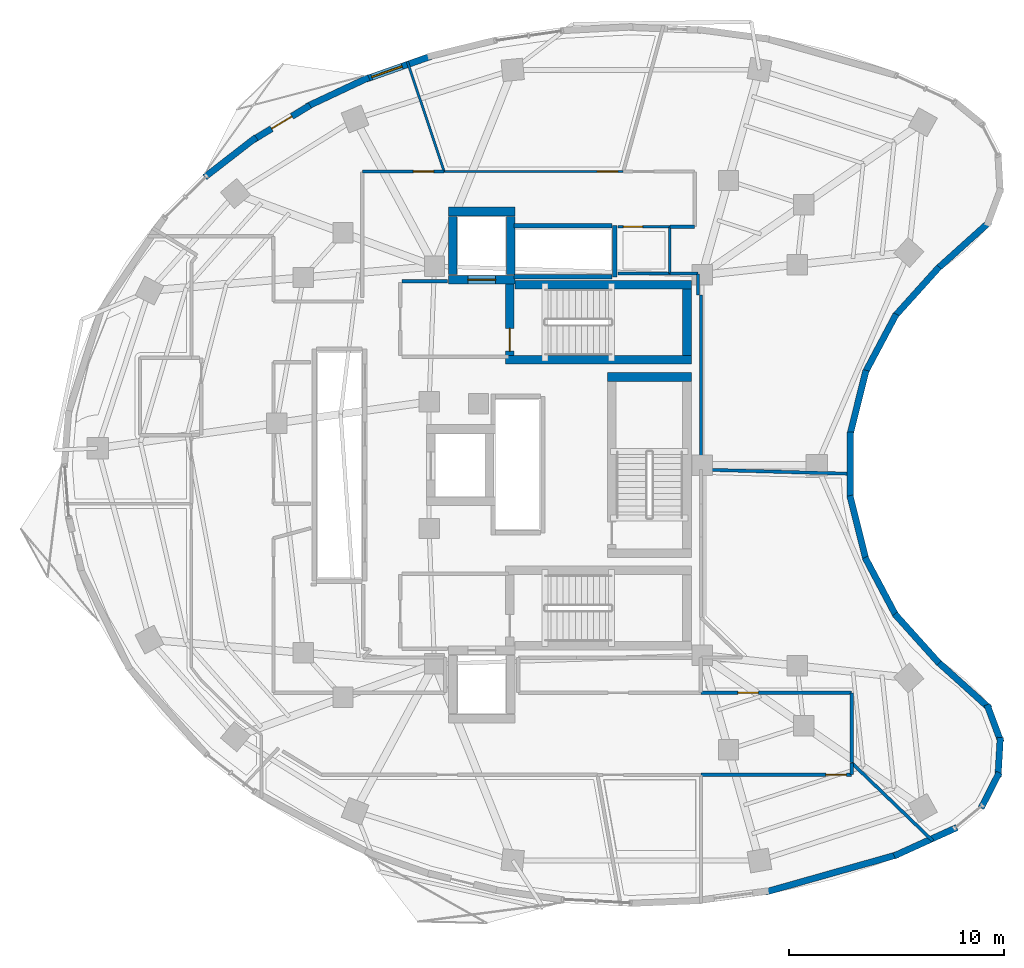
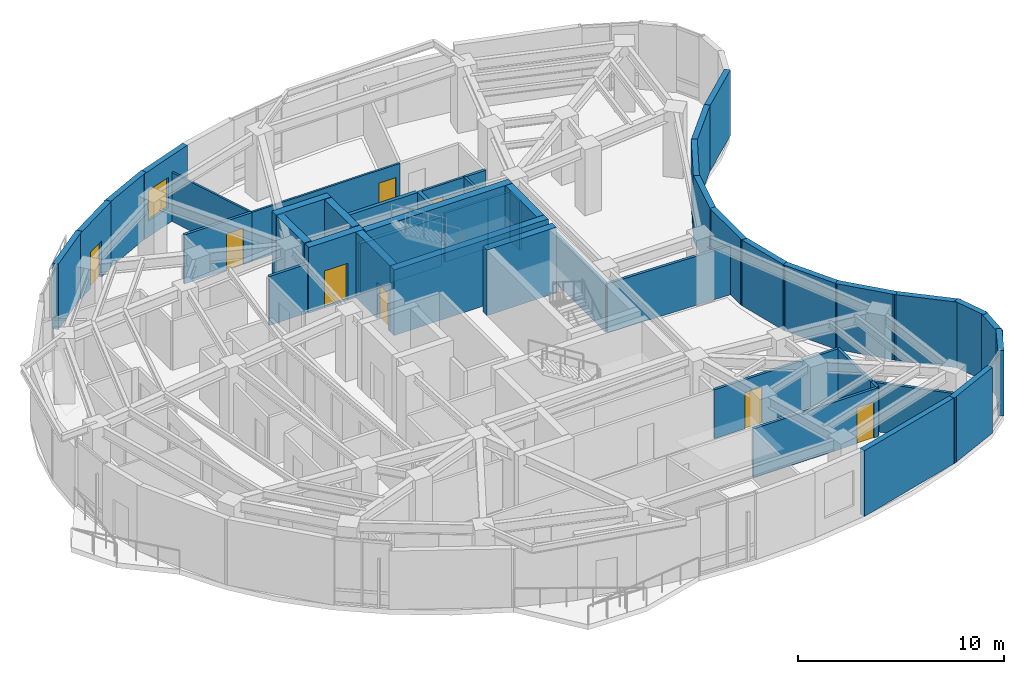
# One storey, part 9 of 13: 47 walls, 8 doors, 1 window, 9 openings.
"""IFC4 building model written with IfcOpenShell, lengths in metres."""

from ifc_helpers import new_model, si_unit, direction, frame, frame_2d, origin, place, context, subcontext, project, spatial, rectangle, extrude, material, layer, layer_set, type_object, element, fill, save


model = new_model("IFC4")

# Units and contexts
model_context = context("Model", 3, precision=1e-05, world=origin(), true_north=direction((0.0, 1.0)))
body_context = subcontext(model_context, "Body", "Model", "MODEL_VIEW")
ifc_project = project(units=[si_unit("LENGTHUNIT", "METRE"), si_unit("AREAUNIT", "SQUARE_METRE"), si_unit("VOLUMEUNIT", "CUBIC_METRE"), si_unit("PLANEANGLEUNIT", "RADIAN"), si_unit("MASSUNIT", "GRAM", prefix="KILO")], contexts=[model_context])

# Site, building, storey
site_placement = place(None, origin())
site = spatial("IfcSite", under=ifc_project, at=site_placement, CompositionType="ELEMENT")
building_placement = place(site_placement, origin())
building = spatial("IfcBuilding", under=site, at=building_placement, Name="Korentha Bioscience Tower", CompositionType="ELEMENT")
storey_placement = place(building_placement, frame((0.0, 0.0, 158.39990234375)))
storey = spatial("IfcBuildingStorey", under=building, at=storey_placement, Name="L36", CompositionType="ELEMENT", Elevation=158.39990234375)

# Wall, opening, door
ifc_material_1 = material(Name="Double-Stud Acoustic Gypsum", Category="gypsum")
ifc_layer_1 = layer(ifc_material_1, 0.14990234375, Name="Double-Stud Acoustic Gypsum")
ifc_layer_set_1 = layer_set([ifc_layer_1], Name="Double-Stud Acoustic Gypsum (IW-L150)")
wall_type_1 = type_object("IfcWallType", Name="Acoustic Laboratory Partition Wall 150", PredefinedType="PARTITIONING", material=ifc_layer_set_1)
wall_1_placement = place(storey_placement, frame((37.508056640625, 12.590087890625, 0.0), z_axis=(0.0, 0.0, 1.0), x_axis=(1.0, 0.0, 0.0)))
wall_1 = element("IfcWall", 1, at=wall_1_placement, inside=storey, type_object=wall_type_1, Name="L36 Fluorescence Confocal Microscopy Room 06 Entrance Wall", PredefinedType="PARTITIONING", context=body_context, shape_type="SweptSolid", body=[
    extrude(rectangle(XDim=6.991943359375, YDim=0.14990234375, at=frame_2d((3.49609375, 0.0))), origin(), (0.0, 0.0, 1.0), 2.91015625),
])
opening_1_placement = place(wall_1_placement, frame((5.802001953125, 0.0, 0.0)))
opening_1 = element("IfcOpeningElement", 2, at=opening_1_placement, cuts=wall_1, Name="Opening ID-10L", PredefinedType="OPENING", context=body_context, shape_type="SweptSolid", body=[
    extrude(rectangle(XDim=0.949951171875, YDim=2.14990234375, at=frame_2d((0.47509765625, 1.074951171875))), frame((0.0, 0.08984375, 0.0), z_axis=(0.0, -1.0, 0.0), x_axis=(1.0, 0.0, 0.0)), (0.0, 0.0, 1.0), 0.1796875),
])
ifc_material_2 = material(Name="Phenolic Laminate Timber Core", Category="wood")
door_type_1 = type_object("IfcDoorType", Name="Laboratory Single Leaf Door 950x2150 Left", OperationType="SINGLE_SWING_LEFT", PredefinedType="DOOR", material=ifc_material_2)
door_1_placement = place(opening_1_placement, origin())
door_1 = element("IfcDoor", 3, at=door_1_placement, inside=storey, type_object=door_type_1, Name="L36 Fluorescence Confocal Microscopy Room 06 Door", OperationType="SINGLE_SWING_LEFT", OverallHeight=2.14990234375, OverallWidth=0.949951171875, PredefinedType="DOOR", context=body_context, shape_type="SweptSolid", body=[
    extrude(rectangle(XDim=0.949951171875, YDim=2.14990234375, at=frame_2d((0.47509765625, 1.074951171875))), frame((0.0, 0.02490234375, 0.0), z_axis=(0.0, -1.0, 0.0), x_axis=(1.0, 0.0, 0.0)), (0.0, 0.0, 1.0), 0.050048828125),
])
fill(opening_1, door_1)

wall_2_placement = place(storey_placement, frame((44.5, 16.409912109375, 0.0), z_axis=(0.0, 0.0, 1.0), x_axis=(-1.0, 0.0, 0.0)))
wall_2 = element("IfcWall", 4, at=wall_2_placement, inside=storey, type_object=wall_type_1, Name="L36 Incubator and Bioreactor Suite 07 Entrance Wall", PredefinedType="PARTITIONING", context=body_context, shape_type="SweptSolid", body=[
    extrude(rectangle(XDim=6.991943359375, YDim=0.14990234375, at=frame_2d((3.49609375, 0.0))), origin(), (0.0, 0.0, 1.0), 2.91015625),
])
opening_2_placement = place(wall_2_placement, frame((4.334228515625, 0.0, 0.0)))
opening_2 = element("IfcOpeningElement", 5, at=opening_2_placement, cuts=wall_2, Name="Opening ID-10R", PredefinedType="OPENING", context=body_context, shape_type="SweptSolid", body=[
    extrude(rectangle(XDim=0.949951171875, YDim=2.14990234375, at=frame_2d((0.47509765625, 1.074951171875))), frame((0.0, 0.08984375, 0.0), z_axis=(0.0, -1.0, 0.0), x_axis=(1.0, 0.0, 0.0)), (0.0, 0.0, 1.0), 0.1796875),
])
door_type_2 = type_object("IfcDoorType", Name="Laboratory Single Leaf Door 950x2150 Right", OperationType="SINGLE_SWING_RIGHT", PredefinedType="DOOR", material=ifc_material_2)
door_2_placement = place(opening_2_placement, origin())
door_2 = element("IfcDoor", 6, at=door_2_placement, inside=storey, type_object=door_type_2, Name="L36 Incubator and Bioreactor Suite 07 Door", OperationType="SINGLE_SWING_RIGHT", OverallHeight=2.14990234375, OverallWidth=0.949951171875, PredefinedType="DOOR", context=body_context, shape_type="SweptSolid", body=[
    extrude(rectangle(XDim=0.949951171875, YDim=2.14990234375, at=frame_2d((0.47509765625, 1.074951171875))), frame((0.0, 0.02490234375, 0.0), z_axis=(0.0, -1.0, 0.0), x_axis=(1.0, 0.0, 0.0)), (0.0, 0.0, 1.0), 0.050048828125),
])
fill(opening_2, door_2)

wall_3_placement = place(storey_placement, frame((25.54150390625, 40.659912109375, 0.0), z_axis=(0.0, 0.0, 1.0), x_axis=(-1.0, 0.0, 0.0)))
wall_3 = element("IfcWall", 7, at=wall_3_placement, inside=storey, type_object=wall_type_1, Name="L36 Clinical Advisory Boardroom 10 Entrance Wall", PredefinedType="PARTITIONING", context=body_context, shape_type="SweptSolid", body=[
    extrude(rectangle(XDim=3.79150390625, YDim=0.14990234375, at=frame_2d((1.895751953125, 0.0))), origin(), (0.0, 0.0, 1.0), 2.91015625),
])
opening_3_placement = place(wall_3_placement, frame((0.477783203125, 0.0, 0.0)))
opening_3 = element("IfcOpeningElement", 8, at=opening_3_placement, cuts=wall_3, Name="Opening ID-10L", PredefinedType="OPENING", context=body_context, shape_type="SweptSolid", body=[
    extrude(rectangle(XDim=0.949951171875, YDim=2.14990234375, at=frame_2d((0.47509765625, 1.074951171875))), frame((0.0, 0.08984375, 0.0), z_axis=(0.0, -1.0, 0.0), x_axis=(1.0, 0.0, 0.0)), (0.0, 0.0, 1.0), 0.1796875),
])
door_3_placement = place(opening_3_placement, origin())
door_3 = element("IfcDoor", 9, at=door_3_placement, inside=storey, type_object=door_type_1, Name="L36 Clinical Advisory Boardroom 10 Door", OperationType="SINGLE_SWING_LEFT", OverallHeight=2.14990234375, OverallWidth=0.949951171875, PredefinedType="DOOR", context=body_context, shape_type="SweptSolid", body=[
    extrude(rectangle(XDim=0.949951171875, YDim=2.14990234375, at=frame_2d((0.47509765625, 1.074951171875))), frame((0.0, 0.02490234375, 0.0), z_axis=(0.0, -1.0, 0.0), x_axis=(1.0, 0.0, 0.0)), (0.0, 0.0, 1.0), 0.050048828125),
])
fill(opening_3, door_3)

# Walls
wall_4_placement = place(storey_placement, frame((44.510009765625, 12.60009765625, 0.0), z_axis=(0.0, 0.0, 1.0), x_axis=(0.0, 1.0, 0.0)))
element("IfcWall", 10, at=wall_4_placement, inside=storey, type_object=wall_type_1, Name="L36 Interior Partition 045", PredefinedType="PARTITIONING", context=body_context, shape_type="SweptSolid", body=[
    extrude(rectangle(XDim=0.5498046875, YDim=0.14990234375, at=frame_2d((0.27490234375, 0.0))), origin(), (0.0, 0.0, 1.0), 2.91015625),
])
wall_5_placement = place(storey_placement, frame((44.510009765625, 13.14990234375, 0.0), z_axis=(0.0, 0.0, 1.0), x_axis=(0.720549773239, -0.69340321912, 0.0)))
element("IfcWall", 11, at=wall_5_placement, inside=storey, type_object=wall_type_1, Name="L36 Interior Partition 046", PredefinedType="PARTITIONING", context=body_context, shape_type="SweptSolid", body=[
    extrude(rectangle(XDim=5.234130859375, YDim=0.14990234375, at=frame_2d((2.6171875, 0.0))), origin(), (0.0, 0.0, 1.0), 2.91015625),
])
wall_6_placement = place(storey_placement, frame((37.502197265625, 26.791748046875, 0.0), z_axis=(0.0, 0.0, 1.0), x_axis=(0.999610026888, -0.027924794459, 0.0)))
element("IfcWall", 12, at=wall_6_placement, inside=storey, type_object=wall_type_1, Name="L36 Interior Partition 047", PredefinedType="PARTITIONING", context=body_context, shape_type="SweptSolid", body=[
    extrude(rectangle(XDim=7.0029296875, YDim=0.14990234375, at=frame_2d((3.50146484375, 0.0))), origin(), (0.0, 0.0, 1.0), 2.91015625),
])
wall_7_placement = place(storey_placement, frame((44.510009765625, 13.159912109375, 0.0), z_axis=(0.0, 0.0, 1.0), x_axis=(0.0, 1.0, 0.0)))
element("IfcWall", 13, at=wall_7_placement, inside=storey, type_object=wall_type_1, Name="L36 Interior Partition 048", PredefinedType="PARTITIONING", context=body_context, shape_type="SweptSolid", body=[
    extrude(rectangle(XDim=3.239990234375, YDim=0.14990234375, at=frame_2d((1.6201171875, 0.0))), origin(), (0.0, 0.0, 1.0), 2.91015625),
])
wall_8_placement = place(storey_placement, frame((37.501953125, 26.8017578125, 0.0), z_axis=(0.0, 0.0, 1.0), x_axis=(0.0, 1.0, 0.0)))
element("IfcWall", 14, at=wall_8_placement, inside=storey, type_object=wall_type_1, Name="L36 Interior Partition 054", PredefinedType="PARTITIONING", context=body_context, shape_type="SweptSolid", body=[
    extrude(rectangle(XDim=8.106689453125, YDim=0.14990234375, at=frame_2d((4.05322265625, 0.0))), origin(), (0.0, 0.0, 1.0), 2.91015625),
])
wall_9_placement = place(storey_placement, frame((37.360107421875, 34.908447265625, 0.0), z_axis=(0.0, 0.0, 1.0), x_axis=(0.0, 1.0, 0.0)))
element("IfcWall", 15, at=wall_9_placement, inside=storey, type_object=wall_type_1, Name="L36 Interior Partition 055", PredefinedType="PARTITIONING", context=body_context, shape_type="SweptSolid", body=[
    extrude(rectangle(XDim=0.991455078125, YDim=0.14990234375, at=frame_2d((0.49560546875, 0.0))), origin(), (0.0, 0.0, 1.0), 2.91015625),
])
wall_10_placement = place(storey_placement, frame((37.35009765625, 35.909912109375, 0.0), z_axis=(0.0, 0.0, 1.0), x_axis=(-1.0, 0.0, 0.0)))
element("IfcWall", 16, at=wall_10_placement, inside=storey, type_object=wall_type_1, Name="L36 Interior Partition 056", PredefinedType="PARTITIONING", context=body_context, shape_type="SweptSolid", body=[
    extrude(rectangle(XDim=1.2900390625, YDim=0.14990234375, at=frame_2d((0.64501953125, 0.0))), origin(), (0.0, 0.0, 1.0), 2.91015625),
])
wall_11_placement = place(storey_placement, frame((36.06005859375, 38.090087890625, 0.0), z_axis=(0.0, 0.0, 1.0), x_axis=(1.0, 0.0, 0.0)))
element("IfcWall", 17, at=wall_11_placement, inside=storey, type_object=wall_type_1, Name="L36 Interior Partition 057", PredefinedType="PARTITIONING", context=body_context, shape_type="SweptSolid", body=[
    extrude(rectangle(XDim=1.139892578125, YDim=0.14990234375, at=frame_2d((0.56982421875, 0.0))), origin(), (0.0, 0.0, 1.0), 2.91015625),
])

# Wall, opening, door
ifc_material_3 = material(Name="Fire-Rated Framed Glass", Category="glass")
ifc_layer_2 = layer(ifc_material_3, 0.110107421875, Name="Fire-Rated Framed Glass")
ifc_layer_set_2 = layer_set([ifc_layer_2], Name="Fire-Rated Framed Glass (IW-G110)")
wall_type_2 = type_object("IfcWallType", Name="Demountable Glazed Office Partition 110", PredefinedType="MOVABLE", material=ifc_layer_set_2)
wall_12_placement = place(storey_placement, frame((33.875, 40.659912109375, 0.0), z_axis=(0.0, 0.0, 1.0), x_axis=(-1.0, 0.0, 0.0)))
wall_12 = element("IfcWall", 18, at=wall_12_placement, inside=storey, type_object=wall_type_2, Name="L36 Biostatistics Research Office 09 Entrance Wall", PredefinedType="MOVABLE", context=body_context, shape_type="SweptSolid", body=[
    extrude(rectangle(XDim=8.322998046875, YDim=0.110107421875, at=frame_2d((4.16162109375, 0.0))), origin(), (0.0, 0.0, 1.0), 2.91015625),
])
opening_4_placement = place(wall_12_placement, frame((0.239990234375, 0.0, 0.0)))
opening_4 = element("IfcOpeningElement", 19, at=opening_4_placement, cuts=wall_12, Name="Opening ID-10R", PredefinedType="OPENING", context=body_context, shape_type="SweptSolid", body=[
    extrude(rectangle(XDim=0.949951171875, YDim=2.14990234375, at=frame_2d((0.47509765625, 1.074951171875))), frame((0.0, 0.06982421875, 0.0), z_axis=(0.0, -1.0, 0.0), x_axis=(1.0, 0.0, 0.0)), (0.0, 0.0, 1.0), 0.139892578125),
])
door_4_placement = place(opening_4_placement, origin())
door_4 = element("IfcDoor", 20, at=door_4_placement, inside=storey, type_object=door_type_2, Name="L36 Biostatistics Research Office 09 Door", OperationType="SINGLE_SWING_RIGHT", OverallHeight=2.14990234375, OverallWidth=0.949951171875, PredefinedType="DOOR", context=body_context, shape_type="SweptSolid", body=[
    extrude(rectangle(XDim=0.949951171875, YDim=2.14990234375, at=frame_2d((0.47509765625, 1.074951171875))), frame((0.0, 0.02490234375, 0.0), z_axis=(0.0, -1.0, 0.0), x_axis=(1.0, 0.0, 0.0)), (0.0, 0.0, 1.0), 0.050048828125),
])
fill(opening_4, door_4)

# Walls
wall_13_placement = place(storey_placement, frame((25.552001953125, 40.659912109375, 0.0), z_axis=(0.0, 0.0, 1.0), x_axis=(-0.317298174949, 0.948325823847, 0.0)))
element("IfcWall", 21, at=wall_13_placement, inside=storey, type_object=wall_type_2, Name="L36 Interior Partition 060", PredefinedType="MOVABLE", context=body_context, shape_type="SweptSolid", body=[
    extrude(rectangle(XDim=5.404541015625, YDim=0.110107421875, at=frame_2d((2.7021484375, 0.0))), origin(), (0.0, 0.0, 1.0), 2.91015625),
])
ifc_material_4 = material(Name="Gypsum-Clad Steel Stud", Category="steel")
ifc_layer_3 = layer(ifc_material_4, 0.159912109375, Name="Gypsum-Clad Steel Stud")
ifc_layer_set_3 = layer_set([ifc_layer_3], Name="Gypsum-Clad Steel Stud (IW-C160)")
wall_type_3 = type_object("IfcWallType", Name="Fire-Rated Corridor Partition Wall 160", PredefinedType="PARTITIONING", material=ifc_layer_set_3)
wall_14_placement = place(storey_placement, frame((23.580078125, 35.550048828125, 0.0), z_axis=(0.0, 0.0, 1.0), x_axis=(1.0, 0.0, 0.0)))
element("IfcWall", 22, at=wall_14_placement, inside=storey, type_object=wall_type_3, Name="L36 Firefighting Lobby Return Wall FFLN-N", PredefinedType="PARTITIONING", context=body_context, shape_type="SweptSolid", body=[
    extrude(rectangle(XDim=2.119873046875, YDim=0.159912109375, at=frame_2d((1.06005859375, 0.0))), origin(), (0.0, 0.0, 1.0), 2.91015625),
])

# Wall, opening, window
ifc_material_5 = material(Name="Honed Limestone Precast Concrete C40", Category="masonry")
ifc_layer_4 = layer(ifc_material_5, 0.300048828125, Name="Honed Limestone Precast Concrete C40")
ifc_layer_set_4 = layer_set([ifc_layer_4], Name="Honed Limestone Precast Concrete C40 (EW-ST300)")
wall_type_4 = type_object("IfcWallType", Name="Honed Limestone Cavity Spandrel Wall 300", PredefinedType="STANDARD", material=ifc_layer_set_4)
wall_15_placement = place(storey_placement, frame((24.9365234375, 46.02294921875, 0.0), z_axis=(0.0, 0.0, 1.0), x_axis=(-0.943495444321, -0.331385495377, 0.0)))
wall_15 = element("IfcWall", 23, at=wall_15_placement, inside=storey, type_object=wall_type_4, Name="L36 Honed Limestone Spandrel Wall 09", PredefinedType="STANDARD", context=body_context, shape_type="SweptSolid", body=[
    extrude(rectangle(XDim=3.21435546875, YDim=0.300048828125, at=frame_2d((1.607177734375, 0.0))), origin(), (0.0, 0.0, 1.0), 3.900146484375),
])
opening_5_placement = place(wall_15_placement, frame((1.42041015625, 0.0, 0.949951171875)))
opening_5 = element("IfcOpeningElement", 24, at=opening_5_placement, cuts=wall_15, Name="Opening WN-02", PredefinedType="OPENING", context=body_context, shape_type="SweptSolid", body=[
    extrude(rectangle(XDim=1.5, YDim=1.800048828125, at=frame_2d((0.75, 0.89990234375))), frame((0.0, 0.1650390625, 0.0), z_axis=(0.0, -1.0, 0.0), x_axis=(1.0, 0.0, 0.0)), (0.0, 0.0, 1.0), 0.329833984375),
])
ifc_material_6 = material(Name="Thermally Broken Aluminium Triple Glazing", Category="aluminium")
window_type = type_object("IfcWindowType", Name="Acoustic Operable Office Window 1500x1800", PartitioningType="DOUBLE_PANEL_VERTICAL", PredefinedType="WINDOW", material=ifc_material_6)
window_placement = place(opening_5_placement, origin())
window = element("IfcWindow", 25, at=window_placement, inside=storey, type_object=window_type, Name="L36 Facade Window 09", OverallHeight=1.800048828125, OverallWidth=1.5, PartitioningType="DOUBLE_PANEL_VERTICAL", PredefinedType="WINDOW", context=body_context, shape_type="SweptSolid", body=[
    extrude(rectangle(XDim=1.5, YDim=1.800048828125, at=frame_2d((0.75, 0.89990234375))), frame((0.0, 0.030029296875, 0.0), z_axis=(0.0, -1.0, 0.0), x_axis=(1.0, 0.0, 0.0)), (0.0, 0.0, 1.0), 0.06005859375),
])
fill(opening_5, window)

# Wall, opening, door
wall_16_placement = place(storey_placement, frame((19.303466796875, 43.736083984375, 0.0), z_axis=(0.0, 0.0, 1.0), x_axis=(-0.85455658592, -0.519358297769, 0.0)))
wall_16 = element("IfcWall", 26, at=wall_16_placement, inside=storey, type_object=wall_type_4, Name="L36 Balcony Threshold Wall 01", PredefinedType="STANDARD", context=body_context, shape_type="SweptSolid", body=[
    extrude(rectangle(XDim=3.06640625, YDim=0.300048828125, at=frame_2d((1.533203125, 0.0))), origin(), (0.0, 0.0, 1.0), 3.900146484375),
])
opening_6_placement = place(wall_16_placement, frame((0.983154296875, 0.0, 0.0)))
opening_6 = element("IfcOpeningElement", 27, at=opening_6_placement, cuts=wall_16, Name="Opening BD-11L", PredefinedType="OPENING", context=body_context, shape_type="SweptSolid", body=[
    extrude(rectangle(XDim=1.10009765625, YDim=2.14990234375, at=frame_2d((0.550048828125, 1.074951171875))), frame((0.0, 0.1650390625, 0.0), z_axis=(0.0, -1.0, 0.0), x_axis=(1.0, 0.0, 0.0)), (0.0, 0.0, 1.0), 0.329833984375),
])
ifc_material_7 = material(Name="Thermally Broken Glazed Aluminium", Category="aluminium")
door_type_3 = type_object("IfcDoorType", Name="Balcony Terrace Glazed Door 1100x2150 Left", OperationType="SINGLE_SWING_LEFT", PredefinedType="DOOR", material=ifc_material_7)
door_5_placement = place(opening_6_placement, origin())
door_5 = element("IfcDoor", 28, at=door_5_placement, inside=storey, type_object=door_type_3, Name="L36 Balcony Access Door 01", OperationType="SINGLE_SWING_LEFT", OverallHeight=2.14990234375, OverallWidth=1.10009765625, PredefinedType="DOOR", context=body_context, shape_type="SweptSolid", body=[
    extrude(rectangle(XDim=1.10009765625, YDim=2.14990234375, at=frame_2d((0.550048828125, 1.074951171875))), frame((0.0, 0.02490234375, 0.0), z_axis=(0.0, -1.0, 0.0), x_axis=(1.0, 0.0, 0.0)), (0.0, 0.0, 1.0), 0.050048828125),
])
fill(opening_6, door_5)

# Walls
wall_17_placement = place(storey_placement, frame((22.03955078125, 45.035888671875, 0.0), z_axis=(0.0, 0.0, 1.0), x_axis=(-0.90504435143, -0.425317201561, 0.0)))
element("IfcWall", 29, at=wall_17_placement, inside=storey, type_object=wall_type_4, Name="L36 Limestone Perimeter Closure Wall 10", PredefinedType="STANDARD", context=body_context, shape_type="SweptSolid", body=[
    extrude(rectangle(XDim=3.185791015625, YDim=0.300048828125, at=frame_2d((1.5927734375, 0.0))), origin(), (0.0, 0.0, 1.0), 3.900146484375),
])
wall_18_placement = place(storey_placement, frame((16.80029296875, 42.249755859375, 0.0), z_axis=(0.0, 0.0, 1.0), x_axis=(-0.790530517055, -0.612422649488, 0.0)))
element("IfcWall", 30, at=wall_18_placement, inside=storey, type_object=wall_type_4, Name="L36 Limestone Perimeter Closure Wall 12", PredefinedType="STANDARD", context=body_context, shape_type="SweptSolid", body=[
    extrude(rectangle(XDim=3.019775390625, YDim=0.300048828125, at=frame_2d((1.509765625, 0.0))), origin(), (0.0, 0.0, 1.0), 3.900146484375),
])
wall_19_placement = place(storey_placement, frame((40.4931640625, 7.13427734375, 0.0), z_axis=(0.0, 0.0, 1.0), x_axis=(0.962163849422, 0.272471515694, 0.0)))
element("IfcWall", 31, at=wall_19_placement, inside=storey, type_object=wall_type_4, Name="L36 Limestone Perimeter Closure Wall 34", PredefinedType="STANDARD", context=body_context, shape_type="SweptSolid", body=[
    extrude(rectangle(XDim=6.4091796875, YDim=0.300048828125, at=frame_2d((3.20458984375, 0.0))), origin(), (0.0, 0.0, 1.0), 3.900146484375),
])
wall_20_placement = place(storey_placement, frame((46.490478515625, 8.818359375, 0.0), z_axis=(0.0, 0.0, 1.0), x_axis=(0.910633193525, 0.413215666268, 0.0)))
element("IfcWall", 32, at=wall_20_placement, inside=storey, type_object=wall_type_4, Name="L36 Limestone Perimeter Closure Wall 36", PredefinedType="STANDARD", context=body_context, shape_type="SweptSolid", body=[
    extrude(rectangle(XDim=3.1953125, YDim=0.300048828125, at=frame_2d((1.59765625, 0.0))), origin(), (0.0, 0.0, 1.0), 3.900146484375),
])
for number, where, z_axis, x_axis, name in (
    (33, (50.533935546875, 11.041259765625, 0.0), (0.0, 0.0, 1.0), (0.454214122486, 0.890892547356, 0.0), "L36 Limestone Perimeter Closure Wall 38"),
    (34, (51.319091796875, 12.484375, 0.0), (0.0, 0.0, 1.0), (0.057485341891, 0.998346350455, 0.0), "L36 Limestone Perimeter Closure Wall 39"),
    (35, (51.45751953125, 14.121337890625, 0.0), (0.0, 0.0, 1.0), (-0.348984166898, 0.937128620443, 0.0), "L36 Limestone Perimeter Closure Wall 40"),
):
    element("IfcWall", number, at=place(storey_placement, frame(where, z_axis=z_axis, x_axis=x_axis)), inside=storey, type_object=wall_type_4, Name=name, PredefinedType="STANDARD", context=body_context, shape_type="SweptSolid", body=[
        extrude(rectangle(XDim=1.851806640625, YDim=0.300048828125, at=frame_2d((0.92578125, 0.0))), origin(), (0.0, 0.0, 1.0), 3.900146484375),
    ])
wall_21_placement = place(storey_placement, frame((50.936279296875, 15.6728515625, 0.0), z_axis=(0.0, 0.0, 1.0), x_axis=(-0.743341827472, 0.668911748687, 0.0)))
element("IfcWall", 36, at=wall_21_placement, inside=storey, type_object=wall_type_4, Name="L36 Limestone Perimeter Closure Wall 41", PredefinedType="STANDARD", context=body_context, shape_type="SweptSolid", body=[
    extrude(rectangle(XDim=3.3095703125, YDim=0.300048828125, at=frame_2d((1.65478515625, 0.0))), origin(), (0.0, 0.0, 1.0), 3.900146484375),
])
for number, where, z_axis, x_axis, name in (
    (37, (48.57861328125, 17.7841796875, 0.0), (0.0, 0.0, 1.0), (-0.669165704933, 0.743113221079, 0.0), "L36 Limestone Perimeter Closure Wall 43"),
    (38, (46.58447265625, 19.975830078125, 0.0), (0.0, 0.0, 1.0), (-0.469471310295, 0.882947727111, 0.0), "L36 Limestone Perimeter Closure Wall 45"),
    (39, (45.179931640625, 22.585205078125, 0.0), (0.0, 0.0, 1.0), (-0.241940068914, 0.970291194979, 0.0), "L36 Limestone Perimeter Closure Wall 47"),
    (40, (44.448486328125, 25.45654296875, 0.0), (0.0, 0.0, 1.0), (0.0, 1.0, 0.0), "L36 Limestone Perimeter Closure Wall 49"),
    (41, (44.43310546875, 28.419677734375, 0.0), (0.0, 0.0, 1.0), (0.241940068914, 0.970291194979, 0.0), "L36 Limestone Perimeter Closure Wall 51"),
    (42, (45.13525390625, 31.298583984375, 0.0), (0.0, 0.0, 1.0), (0.469471310295, 0.882947727111, 0.0), "L36 Limestone Perimeter Closure Wall 53"),
    (43, (46.512939453125, 33.921875, 0.0), (0.0, 0.0, 1.0), (0.669165704933, 0.743113221079, 0.0), "L36 Limestone Perimeter Closure Wall 55"),
):
    element("IfcWall", number, at=place(storey_placement, frame(where, z_axis=z_axis, x_axis=x_axis)), inside=storey, type_object=wall_type_4, Name=name, PredefinedType="STANDARD", context=body_context, shape_type="SweptSolid", body=[
        extrude(rectangle(XDim=3.0869140625, YDim=0.300048828125, at=frame_2d((1.54345703125, 0.0))), origin(), (0.0, 0.0, 1.0), 3.900146484375),
    ])
wall_22_placement = place(storey_placement, frame((48.47607421875, 36.11328125, 0.0), z_axis=(0.0, 0.0, 1.0), x_axis=(0.743341827472, 0.668911748687, 0.0)))
element("IfcWall", 44, at=wall_22_placement, inside=storey, type_object=wall_type_4, Name="L36 Limestone Perimeter Closure Wall 57", PredefinedType="STANDARD", context=body_context, shape_type="SweptSolid", body=[
    extrude(rectangle(XDim=3.3095703125, YDim=0.300048828125, at=frame_2d((1.65478515625, 0.0))), origin(), (0.0, 0.0, 1.0), 3.900146484375),
])
ifc_material_8 = material(Name="Autoclaved Aerated Concrete Block C25", Category="concrete")
ifc_layer_5 = layer(ifc_material_8, 0.199951171875, Name="Autoclaved Aerated Concrete Block C25")
ifc_layer_set_5 = layer_set([ifc_layer_5], Name="Autoclaved Aerated Concrete Block C25 (IW-S200)")
wall_type_5 = type_object("IfcWallType", Name="Lift and Riser Shaft Enclosure Wall 200", PredefinedType="PARTITIONING", material=ifc_layer_set_5)
wall_23_placement = place(storey_placement, frame((33.489990234375, 35.760009765625, 0.0), z_axis=(0.0, 0.0, 1.0), x_axis=(0.0, 1.0, 0.0)))
element("IfcWall", 45, at=wall_23_placement, inside=storey, type_object=wall_type_5, Name="L36 Lift Bank OBS Shaft Wall +X", PredefinedType="PARTITIONING", context=body_context, shape_type="SweptSolid", body=[
    extrude(rectangle(XDim=2.3798828125, YDim=0.199951171875, at=frame_2d((1.18994140625, 0.0))), origin(), (0.0, 0.0, 1.0), 2.91015625),
])
for number, where, z_axis, x_axis, name in (
    (46, (28.800048828125, 35.760009765625, 0.0), (0.0, 0.0, 1.0), (1.0, 0.0, 0.0), "L36 Lift Bank OBS Shaft Wall -Y"),
    (47, (28.800048828125, 38.139892578125, 0.0), (0.0, 0.0, 1.0), (1.0, 0.0, 0.0), "L36 Lift Bank OBS Shaft Wall +Y"),
):
    element("IfcWall", number, at=place(storey_placement, frame(where, z_axis=z_axis, x_axis=x_axis)), inside=storey, type_object=wall_type_5, Name=name, PredefinedType="PARTITIONING", context=body_context, shape_type="SweptSolid", body=[
        extrude(rectangle(XDim=4.570068359375, YDim=0.199951171875, at=frame_2d((2.28515625, 0.0))), origin(), (0.0, 0.0, 1.0), 2.91015625),
    ])
ifc_material_9 = material(Name="Concrete C65", Category="concrete")
ifc_layer_6 = layer(ifc_material_9, 0.39990234375, Name="Concrete C65")
ifc_layer_set_6 = layer_set([ifc_layer_6], Name="Concrete C65 (CW-C65)")
wall_type_6 = type_object("IfcWallType", Name="Mid-Rise Core Shear Wall 400", PredefinedType="SHEAR", material=ifc_layer_set_6)
wall_24_placement = place(storey_placement, frame((28.85205078125, 35.39990234375, 0.0), z_axis=(0.0, 0.0, 1.0), x_axis=(1.0, 0.0, 0.0)))
element("IfcWall", 48, at=wall_24_placement, inside=storey, type_object=wall_type_6, Name="L36 Core Shear Wall ST1-N", PredefinedType="SHEAR", context=body_context, shape_type="SweptSolid", body=[
    extrude(rectangle(XDim=8.197998046875, YDim=0.39990234375, at=frame_2d((4.09912109375, 0.0))), origin(), (0.0, 0.0, 1.0), 3.900146484375),
])
wall_25_placement = place(storey_placement, frame((28.39990234375, 31.89990234375, 0.0), z_axis=(0.0, 0.0, 1.0), x_axis=(1.0, 0.0, 0.0)))
element("IfcWall", 49, at=wall_25_placement, inside=storey, type_object=wall_type_6, Name="L36 Core Shear Wall ST1-S", PredefinedType="SHEAR", context=body_context, shape_type="SweptSolid", body=[
    extrude(rectangle(XDim=8.650146484375, YDim=0.39990234375, at=frame_2d((4.3251953125, 0.0))), origin(), (0.0, 0.0, 1.0), 3.900146484375),
])
wall_26_placement = place(storey_placement, frame((36.85009765625, 32.110107421875, 0.0), z_axis=(0.0, 0.0, 1.0), x_axis=(0.0, 1.0, 0.0)))
element("IfcWall", 50, at=wall_26_placement, inside=storey, type_object=wall_type_6, Name="L36 Core Shear Wall ST1-E", PredefinedType="SHEAR", context=body_context, shape_type="SweptSolid", body=[
    extrude(rectangle(XDim=3.079833984375, YDim=0.39990234375, at=frame_2d((1.5400390625, 0.0))), origin(), (0.0, 0.0, 1.0), 3.900146484375),
])

# Wall, opening, door
wall_27_placement = place(storey_placement, frame((28.60009765625, 32.110107421875, 0.0), z_axis=(0.0, 0.0, 1.0), x_axis=(0.0, 1.0, 0.0)))
wall_27 = element("IfcWall", 51, at=wall_27_placement, inside=storey, type_object=wall_type_6, Name="L36 Core Shear Wall ST1-W", PredefinedType="SHEAR", context=body_context, shape_type="SweptSolid", body=[
    extrude(rectangle(XDim=3.307861328125, YDim=0.39990234375, at=frame_2d((1.65380859375, 0.0))), origin(), (0.0, 0.0, 1.0), 3.900146484375),
])
opening_7_placement = place(wall_27_placement, frame((0.199951171875, 0.0, 0.0)))
opening_7 = element("IfcOpeningElement", 52, at=opening_7_placement, cuts=wall_27, Name="Opening FD-90R", PredefinedType="OPENING", context=body_context, shape_type="SweptSolid", body=[
    extrude(rectangle(XDim=1.050048828125, YDim=2.14990234375, at=frame_2d((0.52490234375, 1.074951171875))), frame((0.0, 0.21484375, 0.0), z_axis=(0.0, -1.0, 0.0), x_axis=(1.0, 0.0, 0.0)), (0.0, 0.0, 1.0), 0.4296875),
])
ifc_material_10 = material(Name="Powder-Coated Fire-Rated Steel", Category="steel")
door_type_4 = type_object("IfcDoorType", Name="Stairwell Fire Exit Door 1050x2150 Right", OperationType="SINGLE_SWING_RIGHT", PredefinedType="DOOR", material=ifc_material_10)
door_6_placement = place(opening_7_placement, origin())
door_6 = element("IfcDoor", 53, at=door_6_placement, inside=storey, type_object=door_type_4, Name="L36 ST-1 Fire Exit Stair Door", OperationType="SINGLE_SWING_RIGHT", OverallHeight=2.14990234375, OverallWidth=1.050048828125, PredefinedType="DOOR", context=body_context, shape_type="SweptSolid", body=[
    extrude(rectangle(XDim=1.050048828125, YDim=2.14990234375, at=frame_2d((0.52490234375, 1.074951171875))), frame((0.0, 0.02490234375, 0.0), z_axis=(0.0, -1.0, 0.0), x_axis=(1.0, 0.0, 0.0)), (0.0, 0.0, 1.0), 0.050048828125),
])
fill(opening_7, door_6)

# Walls
wall_28_placement = place(storey_placement, frame((33.14990234375, 31.10009765625, 0.0), z_axis=(0.0, 0.0, 1.0), x_axis=(1.0, 0.0, 0.0)))
element("IfcWall", 54, at=wall_28_placement, inside=storey, type_object=wall_type_6, Name="L36 Core Shear Wall ST3-N", PredefinedType="SHEAR", context=body_context, shape_type="SweptSolid", body=[
    extrude(rectangle(XDim=3.900146484375, YDim=0.39990234375, at=frame_2d((1.9501953125, 0.0))), origin(), (0.0, 0.0, 1.0), 3.900146484375),
])
wall_29_placement = place(storey_placement, frame((25.75, 38.800048828125, 0.0), z_axis=(0.0, 0.0, 1.0), x_axis=(1.0, 0.0, 0.0)))
element("IfcWall", 55, at=wall_29_placement, inside=storey, type_object=wall_type_6, Name="L36 Core Shear Wall FFL2-N", PredefinedType="SHEAR", context=body_context, shape_type="SweptSolid", body=[
    extrude(rectangle(XDim=3.10009765625, YDim=0.39990234375, at=frame_2d((1.550048828125, 0.0))), origin(), (0.0, 0.0, 1.0), 3.900146484375),
])

# Wall, opening, door
wall_30_placement = place(storey_placement, frame((25.75, 35.6201171875, 0.0), z_axis=(0.0, 0.0, 1.0), x_axis=(1.0, 0.0, 0.0)))
wall_30 = element("IfcWall", 56, at=wall_30_placement, inside=storey, type_object=wall_type_6, Name="L36 Core Shear Wall FFL2-S", PredefinedType="SHEAR", context=body_context, shape_type="SweptSolid", body=[
    extrude(rectangle(XDim=3.10009765625, YDim=0.39990234375, at=frame_2d((1.550048828125, 0.0))), origin(), (0.0, 0.0, 1.0), 3.900146484375),
])
opening_8_placement = place(wall_30_placement, frame((0.89990234375, 0.0, 0.0)))
opening_8 = element("IfcOpeningElement", 57, at=opening_8_placement, cuts=wall_30, Name="Opening LD-13", PredefinedType="OPENING", context=body_context, shape_type="SweptSolid", body=[
    extrude(rectangle(XDim=1.300048828125, YDim=2.199951171875, at=frame_2d((0.64990234375, 1.10009765625))), frame((0.0, 0.21484375, 0.0), z_axis=(0.0, -1.0, 0.0), x_axis=(1.0, 0.0, 0.0)), (0.0, 0.0, 1.0), 0.4296875),
])
ifc_material_11 = material(Name="Brushed Stainless Steel 316", Category="steel")
door_type_5 = type_object("IfcDoorType", Name="Service & Firefighting Lift Landing Door 1300x2300", OperationType="DOUBLE_DOOR_SLIDING", PredefinedType="DOOR", material=ifc_material_11)
door_7_placement = place(opening_8_placement, origin())
door_7 = element("IfcDoor", 58, at=door_7_placement, inside=storey, type_object=door_type_5, Name="L36 FFL-2 Sliding Lift Landing Door", OperationType="DOUBLE_DOOR_SLIDING", OverallHeight=2.199951171875, OverallWidth=1.300048828125, PredefinedType="DOOR", context=body_context, shape_type="SweptSolid", body=[
    extrude(rectangle(XDim=1.300048828125, YDim=2.199951171875, at=frame_2d((0.64990234375, 1.10009765625))), frame((0.0, 0.02490234375, 0.0), z_axis=(0.0, -1.0, 0.0), x_axis=(1.0, 0.0, 0.0)), (0.0, 0.0, 1.0), 0.050048828125),
])
fill(opening_8, door_7)

# Walls
for number, where, z_axis, x_axis, name in (
    (59, (25.949951171875, 35.860107421875, 0.0), (0.0, 0.0, 1.0), (0.0, 1.0, 0.0), "L36 Core Shear Wall FFL2-W"),
    (60, (28.64990234375, 35.860107421875, 0.0), (0.0, 0.0, 1.0), (0.0, 1.0, 0.0), "L36 Core Shear Wall FFL2-E"),
):
    element("IfcWall", number, at=place(storey_placement, frame(where, z_axis=z_axis, x_axis=x_axis)), inside=storey, type_object=wall_type_6, Name=name, PredefinedType="SHEAR", context=body_context, shape_type="SweptSolid", body=[
        extrude(rectangle(XDim=2.699951171875, YDim=0.39990234375, at=frame_2d((1.35009765625, 0.0))), origin(), (0.0, 0.0, 1.0), 3.900146484375),
    ])

# Wall, opening, door
ifc_material_12 = material(Name="Cement-Board Steel Stud", Category="steel")
ifc_layer_7 = layer(ifc_material_12, 0.1298828125, Name="Cement-Board Steel Stud")
ifc_layer_set_7 = layer_set([ifc_layer_7], Name="Cement-Board Steel Stud (IW-W130)")
wall_type_7 = type_object("IfcWallType", Name="Wet-Area Moisture-Resistant Partition 130", PredefinedType="PARTITIONING", material=ifc_layer_set_7)
wall_31_placement = place(storey_placement, frame((33.64990234375, 38.090087890625, 0.0), z_axis=(0.0, 0.0, 1.0), x_axis=(1.0, 0.0, 0.0)))
wall_31 = element("IfcWall", 61, at=wall_31_placement, inside=storey, type_object=wall_type_7, Name="L36 Accessible Staff WC Entrance Wall", PredefinedType="PARTITIONING", context=body_context, shape_type="SweptSolid", body=[
    extrude(rectangle(XDim=2.400146484375, YDim=0.1298828125, at=frame_2d((1.2001953125, 0.0))), origin(), (0.0, 0.0, 1.0), 2.91015625),
])
opening_9_placement = place(wall_31_placement, frame((0.239990234375, 0.0, 0.0)))
opening_9 = element("IfcOpeningElement", 62, at=opening_9_placement, cuts=wall_31, Name="Opening ID-09R", PredefinedType="OPENING", context=body_context, shape_type="SweptSolid", body=[
    extrude(rectangle(XDim=0.89990234375, YDim=2.14990234375, at=frame_2d((0.449951171875, 1.074951171875))), frame((0.0, 0.079833984375, 0.0), z_axis=(0.0, -1.0, 0.0), x_axis=(1.0, 0.0, 0.0)), (0.0, 0.0, 1.0), 0.15966796875),
])
ifc_material_13 = material(Name="Moisture-Resistant HPL Leaf", Category="wood")
door_type_6 = type_object("IfcDoorType", Name="Restroom & Accessible WC Door 900x2150 Right", OperationType="SINGLE_SWING_RIGHT", PredefinedType="DOOR", material=ifc_material_13)
door_8_placement = place(opening_9_placement, origin())
door_8 = element("IfcDoor", 63, at=door_8_placement, inside=storey, type_object=door_type_6, Name="L36 Accessible Staff WC Door", OperationType="SINGLE_SWING_RIGHT", OverallHeight=2.14990234375, OverallWidth=0.89990234375, PredefinedType="DOOR", context=body_context, shape_type="SweptSolid", body=[
    extrude(rectangle(XDim=0.89990234375, YDim=2.14990234375, at=frame_2d((0.449951171875, 1.074951171875))), frame((0.0, 0.02490234375, 0.0), z_axis=(0.0, -1.0, 0.0), x_axis=(1.0, 0.0, 0.0)), (0.0, 0.0, 1.0), 0.050048828125),
])
fill(opening_9, door_8)

# Walls
wall_32_placement = place(storey_placement, frame((36.050048828125, 35.909912109375, 0.0), z_axis=(0.0, 0.0, 1.0), x_axis=(-1.0, 0.0, 0.0)))
element("IfcWall", 64, at=wall_32_placement, inside=storey, type_object=wall_type_7, Name="L36 Interior Partition 015", PredefinedType="PARTITIONING", context=body_context, shape_type="SweptSolid", body=[
    extrude(rectangle(XDim=2.400146484375, YDim=0.1298828125, at=frame_2d((1.2001953125, 0.0))), origin(), (0.0, 0.0, 1.0), 2.91015625),
])
wall_33_placement = place(storey_placement, frame((36.050048828125, 38.090087890625, 0.0), z_axis=(0.0, 0.0, 1.0), x_axis=(0.0, -1.0, 0.0)))
element("IfcWall", 65, at=wall_33_placement, inside=storey, type_object=wall_type_7, Name="L36 Interior Partition 016", PredefinedType="PARTITIONING", context=body_context, shape_type="SweptSolid", body=[
    extrude(rectangle(XDim=2.18017578125, YDim=0.1298828125, at=frame_2d((1.090087890625, 0.0))), origin(), (0.0, 0.0, 1.0), 2.91015625),
])

save(model, "model.ifc")
